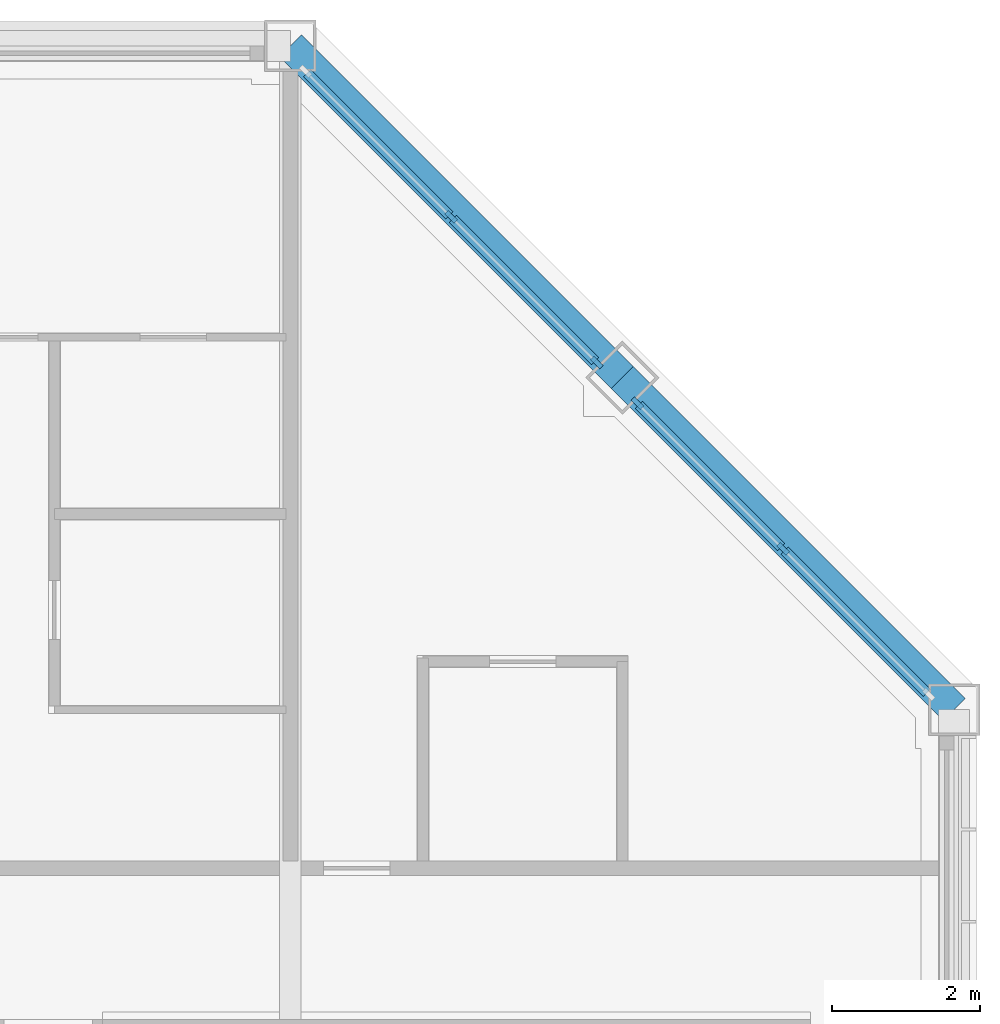
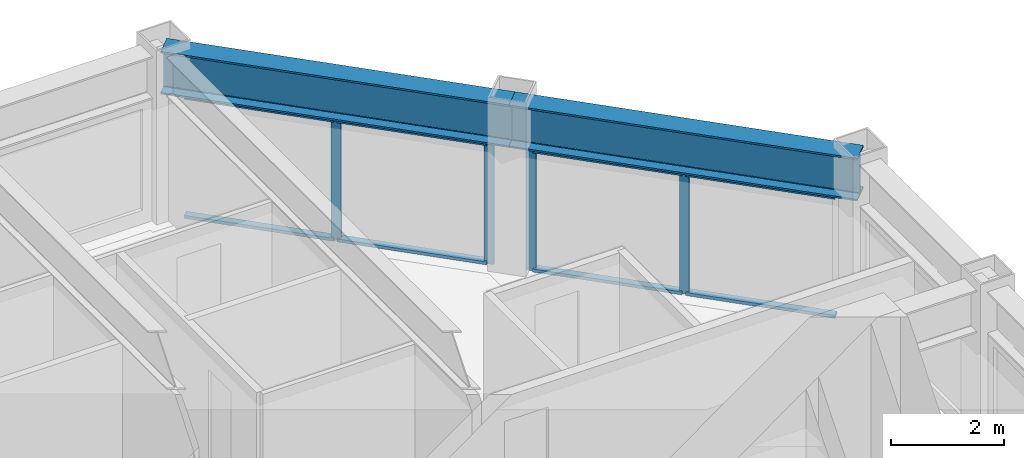
# One storey, part 7 of 18: 12 members, 2 beams, 2 elements without a shape of their own.
"""IFC4 building model written with IfcOpenShell, lengths in metres."""

from ifc_helpers import new_model, si_unit, direction, frame, origin, origin_2d, place, context, subcontext, project, spatial, rectangle, i_section, extrude, material, material_profile, profile_set, type_object, element, aggregate, save


model = new_model("IFC4")

# Units and contexts
model_context = context("Model", 3, precision=1e-05, world=origin(), true_north=direction((0.0, 1.0)))
body_context = subcontext(model_context, "Body", "Model", "MODEL_VIEW")
ifc_project = project(units=[si_unit("LENGTHUNIT", "METRE"), si_unit("AREAUNIT", "SQUARE_METRE"), si_unit("VOLUMEUNIT", "CUBIC_METRE"), si_unit("PLANEANGLEUNIT", "RADIAN"), si_unit("MASSUNIT", "GRAM", prefix="KILO")], contexts=[model_context])

# Site, building, storey
site_placement = place(None, origin())
site = spatial("IfcSite", under=ifc_project, at=site_placement, CompositionType="ELEMENT")
building_placement = place(site_placement, origin())
building = spatial("IfcBuilding", under=site, at=building_placement, Name="Msasa Ring Tower", CompositionType="ELEMENT")
storey_placement = place(building_placement, frame((0.0, 0.0, 249.550048828125)))
storey = spatial("IfcBuildingStorey", under=building, at=storey_placement, Name="L65", CompositionType="ELEMENT", Elevation=249.550048828125)

# Curtain wall, members
ifc_material_1 = material(Name="Aluminium curtain wall with clear glass", Category="aluminium")
curtain_wall_type = type_object("IfcCurtainWallType", Name="CW-C CHAMFER CORNER CURTAIN WALL", PredefinedType="NOTDEFINED", material=ifc_material_1)
curtain_wall_1_placement = place(storey_placement, origin())
curtain_wall_1 = element("IfcCurtainWall", 1, at=curtain_wall_1_placement, inside=storey, type_object=curtain_wall_type, Name="Chamfer corner curtain wall NE L65", PredefinedType="NOTDEFINED")
ifc_material_2 = material(Name="Aluminium mullion", Category="aluminium")
ifc_material_profile_1 = material_profile(ifc_material_2, rectangle(XDim=0.06494140625, YDim=0.179931640625, at=origin_2d()), Name="AL 65x180")
ifc_profile_set_1 = profile_set([ifc_material_profile_1], Name="Aluminium mullion")
member_type_1 = type_object("IfcMemberType", Name="CW-C MULLION 65x180", PredefinedType="MULLION", material=ifc_profile_set_1)
member_1_placement = place(storey_placement, frame((15.4052734375, 15.953369140625, 0.0), z_axis=(0.0, 0.0, 1.0), x_axis=(-0.707106781187, -0.707106781187, 0.0)))
member_1 = element("IfcMember", 2, at=member_1_placement, type_object=member_type_1, Name="CW-C mullion 1", PredefinedType="MULLION", context=body_context, shape_type="SweptSolid", body=[
    extrude(rectangle(XDim=0.06494140625, YDim=0.179931640625, at=origin_2d()), origin(), (0.0, 0.0, 1.0), 2.62890625),
])
member_2_placement = place(storey_placement, frame((13.42919921875, 17.92919921875, 0.0), z_axis=(0.0, 0.0, 1.0), x_axis=(-0.707106781187, -0.707106781187, 0.0)))
member_2 = element("IfcMember", 3, at=member_2_placement, type_object=member_type_1, Name="CW-C mullion 2", PredefinedType="MULLION", context=body_context, shape_type="SweptSolid", body=[
    extrude(rectangle(XDim=0.06494140625, YDim=0.179931640625, at=origin_2d()), origin(), (0.0, 0.0, 1.0), 2.62890625),
])

curtain_wall_2_placement = place(storey_placement, origin())
curtain_wall_2 = element("IfcCurtainWall", 4, at=curtain_wall_2_placement, inside=storey, type_object=curtain_wall_type, Name="Chamfer corner curtain wall NE L65", PredefinedType="NOTDEFINED")
member_3_placement = place(storey_placement, frame((17.92919921875, 13.42919921875, 0.0), z_axis=(0.0, 0.0, 1.0), x_axis=(-0.707106781187, -0.707106781187, 0.0)))
member_3 = element("IfcMember", 5, at=member_3_placement, type_object=member_type_1, Name="CW-C mullion 2", PredefinedType="MULLION", context=body_context, shape_type="SweptSolid", body=[
    extrude(rectangle(XDim=0.06494140625, YDim=0.179931640625, at=origin_2d()), origin(), (0.0, 0.0, 1.0), 2.62890625),
])
member_4_placement = place(storey_placement, frame((15.953369140625, 15.4052734375, 0.0), z_axis=(0.0, 0.0, 1.0), x_axis=(-0.707106781187, -0.707106781187, 0.0)))
member_4 = element("IfcMember", 6, at=member_4_placement, type_object=member_type_1, Name="CW-C mullion 3", PredefinedType="MULLION", context=body_context, shape_type="SweptSolid", body=[
    extrude(rectangle(XDim=0.06494140625, YDim=0.179931640625, at=origin_2d()), origin(), (0.0, 0.0, 1.0), 2.62890625),
])

# Member
ifc_material_3 = material(Name="Aluminium transom", Category="aluminium")
ifc_material_profile_2 = material_profile(ifc_material_3, rectangle(XDim=0.139892578125, YDim=0.06494140625, at=origin_2d()), Name="AL 65x140")
ifc_profile_set_2 = profile_set([ifc_material_profile_2], Name="Aluminium transom")
member_type_2 = type_object("IfcMemberType", Name="CW-C TRANSOM 65x140", PredefinedType="USERDEFINED", material=ifc_profile_set_2)
member_5_placement = place(storey_placement, frame((15.38232421875, 15.976318359375, 0.032470703125), z_axis=(-0.707106781187, 0.707106781187, 0.0), x_axis=(-0.707106781187, -0.707106781187, 0.0)))
member_5 = element("IfcMember", 7, at=member_5_placement, type_object=member_type_2, Name="CW-C transom 1.1", ObjectType="TRANSOM", PredefinedType="USERDEFINED", context=body_context, shape_type="SweptSolid", body=[
    extrude(rectangle(XDim=0.139892578125, YDim=0.06494140625, at=origin_2d()), origin(), (0.0, 0.0, 1.0), 2.729248046875),
])

member_6_placement = place(storey_placement, frame((15.38232421875, 15.976318359375, 2.596435546875), z_axis=(-0.707106781187, 0.707106781187, 0.0), x_axis=(-0.707106781187, -0.707106781187, 0.0)))
member_6 = element("IfcMember", 8, at=member_6_placement, type_object=member_type_2, Name="CW-C transom 1.2", ObjectType="TRANSOM", PredefinedType="USERDEFINED", context=body_context, shape_type="SweptSolid", body=[
    extrude(rectangle(XDim=0.139892578125, YDim=0.06494140625, at=origin_2d()), origin(), (0.0, 0.0, 1.0), 2.729248046875),
])

member_7_placement = place(storey_placement, frame((13.40625, 17.952392578125, 0.032470703125), z_axis=(-0.707106781187, 0.707106781187, 0.0), x_axis=(-0.707106781187, -0.707106781187, 0.0)))
member_7 = element("IfcMember", 9, at=member_7_placement, type_object=member_type_2, Name="CW-C transom 2.1", ObjectType="TRANSOM", PredefinedType="USERDEFINED", context=body_context, shape_type="SweptSolid", body=[
    extrude(rectangle(XDim=0.139892578125, YDim=0.06494140625, at=origin_2d()), origin(), (0.0, 0.0, 1.0), 2.729248046875),
])

member_8_placement = place(storey_placement, frame((13.40625, 17.952392578125, 2.596435546875), z_axis=(-0.707106781187, 0.707106781187, 0.0), x_axis=(-0.707106781187, -0.707106781187, 0.0)))
member_8 = element("IfcMember", 10, at=member_8_placement, type_object=member_type_2, Name="CW-C transom 2.2", ObjectType="TRANSOM", PredefinedType="USERDEFINED", context=body_context, shape_type="SweptSolid", body=[
    extrude(rectangle(XDim=0.139892578125, YDim=0.06494140625, at=origin_2d()), origin(), (0.0, 0.0, 1.0), 2.729248046875),
])

aggregate(curtain_wall_1, [member_1, member_2, member_5, member_6, member_7, member_8])

member_9_placement = place(storey_placement, frame((19.88232421875, 11.476318359375, 0.032470703125), z_axis=(-0.707106781187, 0.707106781187, 0.0), x_axis=(-0.707106781187, -0.707106781187, 0.0)))
member_9 = element("IfcMember", 11, at=member_9_placement, type_object=member_type_2, Name="CW-C transom 1.1", ObjectType="TRANSOM", PredefinedType="USERDEFINED", context=body_context, shape_type="SweptSolid", body=[
    extrude(rectangle(XDim=0.139892578125, YDim=0.06494140625, at=origin_2d()), origin(), (0.0, 0.0, 1.0), 2.729248046875),
])

member_10_placement = place(storey_placement, frame((19.88232421875, 11.476318359375, 2.596435546875), z_axis=(-0.707106781187, 0.707106781187, 0.0), x_axis=(-0.707106781187, -0.707106781187, 0.0)))
member_10 = element("IfcMember", 12, at=member_10_placement, type_object=member_type_2, Name="CW-C transom 1.2", ObjectType="TRANSOM", PredefinedType="USERDEFINED", context=body_context, shape_type="SweptSolid", body=[
    extrude(rectangle(XDim=0.139892578125, YDim=0.06494140625, at=origin_2d()), origin(), (0.0, 0.0, 1.0), 2.729248046875),
])

member_11_placement = place(storey_placement, frame((17.90625, 13.452392578125, 0.032470703125), z_axis=(-0.707106781187, 0.707106781187, 0.0), x_axis=(-0.707106781187, -0.707106781187, 0.0)))
member_11 = element("IfcMember", 13, at=member_11_placement, type_object=member_type_2, Name="CW-C transom 2.1", ObjectType="TRANSOM", PredefinedType="USERDEFINED", context=body_context, shape_type="SweptSolid", body=[
    extrude(rectangle(XDim=0.139892578125, YDim=0.06494140625, at=origin_2d()), origin(), (0.0, 0.0, 1.0), 2.729248046875),
])

member_12_placement = place(storey_placement, frame((17.90625, 13.452392578125, 2.596435546875), z_axis=(-0.707106781187, 0.707106781187, 0.0), x_axis=(-0.707106781187, -0.707106781187, 0.0)))
member_12 = element("IfcMember", 14, at=member_12_placement, type_object=member_type_2, Name="CW-C transom 2.2", ObjectType="TRANSOM", PredefinedType="USERDEFINED", context=body_context, shape_type="SweptSolid", body=[
    extrude(rectangle(XDim=0.139892578125, YDim=0.06494140625, at=origin_2d()), origin(), (0.0, 0.0, 1.0), 2.729248046875),
])

aggregate(curtain_wall_2, [member_3, member_4, member_9, member_10, member_11, member_12])

# Beams
ifc_material_4 = material(Name="Steel S355", Category="steel")
ifc_material_profile_3 = material_profile(ifc_material_4, i_section(OverallWidth=0.42041015625, OverallDepth=0.9208984375, WebThickness=0.021484375, FlangeThickness=0.03662109375, FilletRadius=0.024169921875, at=origin_2d()), Name="UB 914x419x388")
ifc_profile_set_3 = profile_set([ifc_material_profile_3], Name="Steel S355")
beam_type = type_object("IfcBeamType", Name="SB1 UB 914x419x388", PredefinedType="SPANDREL", material=ifc_profile_set_3)
for number, where, z_axis, x_axis, name in (
    (15, (20.25, 11.25, 3.08935546875), (-0.707106781187, 0.707106781187, 0.0), (-0.707106781187, -0.707106781187, 0.0), "Spandrel E+11.25 to NE under L66"),
    (16, (15.75, 15.75, 3.08935546875), (-0.707106781187, 0.707106781187, 0.0), (-0.707106781187, -0.707106781187, 0.0), "Spandrel NE to N+11.25 under L66"),
):
    element("IfcBeam", number, at=place(storey_placement, frame(where, z_axis=z_axis, x_axis=x_axis)), inside=storey, type_object=beam_type, Name=name, PredefinedType="SPANDREL", context=body_context, shape_type="SweptSolid", body=[
        extrude(i_section(OverallWidth=0.42041015625, OverallDepth=0.9208984375, WebThickness=0.021484375, FlangeThickness=0.03662109375, FilletRadius=0.024169921875, at=origin_2d()), origin(), (0.0, 0.0, 1.0), 6.364013671875),
    ])

save(model, "model.ifc")
